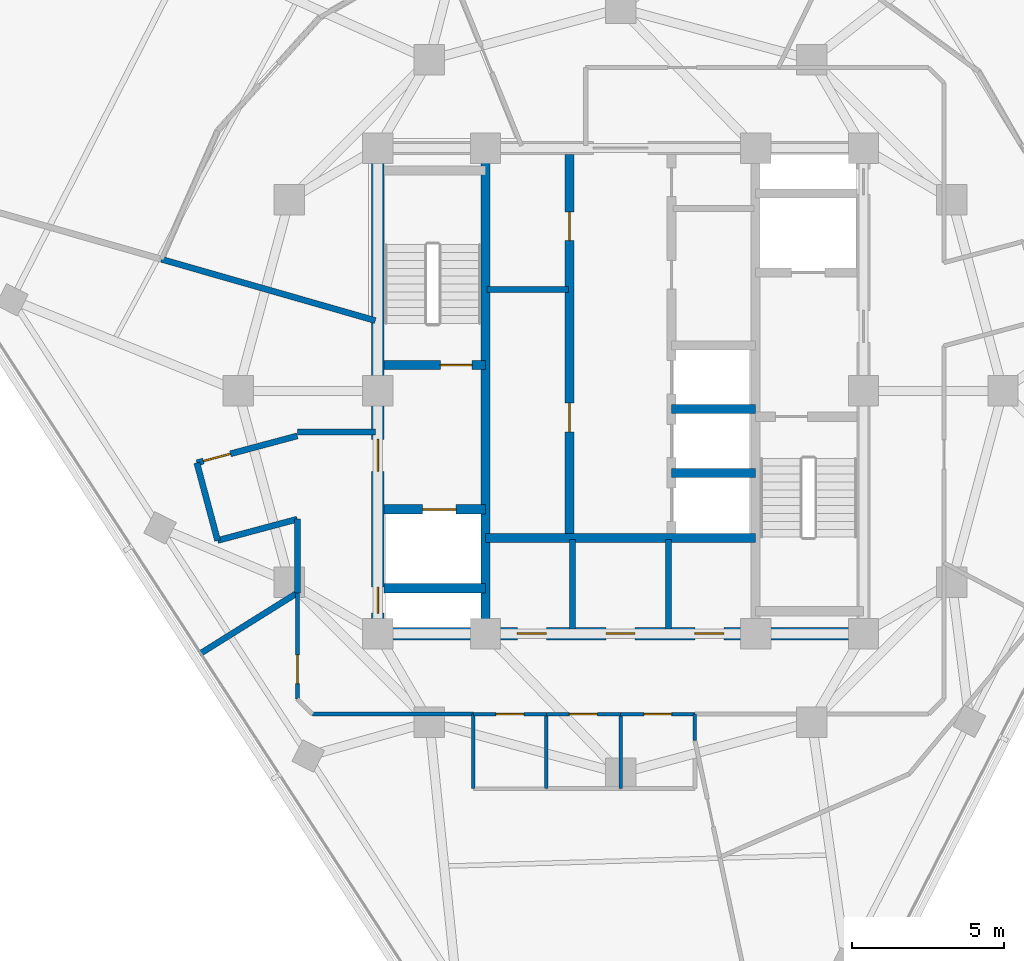
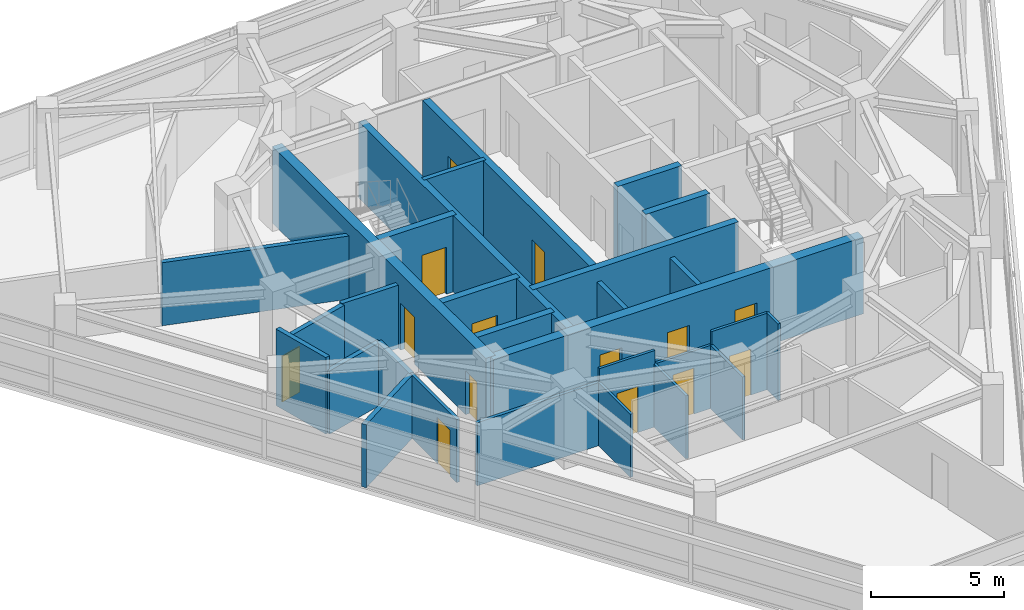
# One storey, part 8 of 15: 29 walls, 14 doors, 14 openings.
"""IFC4 building model written with IfcOpenShell, lengths in metres."""

from ifc_helpers import new_model, si_unit, direction, frame, frame_2d, origin, place, context, subcontext, project, spatial, rectangle, extrude, material, layer, layer_set, type_object, element, fill, save


model = new_model("IFC4")

# Units and contexts
model_context = context("Model", 3, precision=1e-05, world=origin(), true_north=direction((0.0, 1.0)))
body_context = subcontext(model_context, "Body", "Model", "MODEL_VIEW")
ifc_project = project(units=[si_unit("LENGTHUNIT", "METRE"), si_unit("AREAUNIT", "SQUARE_METRE"), si_unit("VOLUMEUNIT", "CUBIC_METRE"), si_unit("PLANEANGLEUNIT", "RADIAN"), si_unit("MASSUNIT", "GRAM", prefix="KILO")], contexts=[model_context])

# Site, building, storey
site_placement = place(None, origin())
site = spatial("IfcSite", under=ifc_project, at=site_placement, CompositionType="ELEMENT")
building_placement = place(site_placement, origin())
building = spatial("IfcBuilding", under=site, at=building_placement, Name="Terralouvre Media Tower", CompositionType="ELEMENT")
storey_placement = place(building_placement, frame((0.0, 0.0, 263.300048828125)))
storey = spatial("IfcBuildingStorey", under=building, at=storey_placement, Name="L68", CompositionType="ELEMENT", Elevation=263.300048828125)

# Wall
ifc_material_1 = material(Name="Concrete C50/60", Category="concrete")
ifc_layer_1 = layer(ifc_material_1, 0.300048828125, Name="Core Internal Shaft Wall CW-300")
ifc_layer_set_1 = layer_set([ifc_layer_1], Name="Concrete C50/60")
wall_type_1 = type_object("IfcWallType", Name="Core Internal Shaft Wall CW-300", PredefinedType="SHEAR", material=ifc_layer_set_1)
wall_1_placement = place(storey_placement, frame((-4.449951171875, -7.7900390625, 0.0), z_axis=(0.0, 0.0, 1.0), x_axis=(0.0, 1.0, 0.0)))
element("IfcWall", 1, at=wall_1_placement, inside=storey, type_object=wall_type_1, Name="L68 Core Shaft Wall SPW", PredefinedType="SHEAR", context=body_context, shape_type="SweptSolid", body=[
    extrude(rectangle(XDim=15.580078125, YDim=0.300048828125, at=frame_2d((7.7900390625, 0.0))), origin(), (0.0, 0.0, 1.0), 3.5),
])

# Wall, opening, door
wall_2_placement = place(storey_placement, frame((-7.7900390625, 0.85009765625, 0.0), z_axis=(0.0, 0.0, 1.0), x_axis=(1.0, 0.0, 0.0)))
wall_2 = element("IfcWall", 2, at=wall_2_placement, inside=storey, type_object=wall_type_1, Name="L68 Core Shaft Wall ST1D", PredefinedType="SHEAR", context=body_context, shape_type="SweptSolid", body=[
    extrude(rectangle(XDim=3.340087890625, YDim=0.300048828125, at=frame_2d((1.669921875, 0.0))), origin(), (0.0, 0.0, 1.0), 3.5),
])
opening_1_placement = place(wall_2_placement, frame((1.85009765625, 0.0, 0.0)))
opening_1 = element("IfcOpeningElement", 3, at=opening_1_placement, cuts=wall_2, Name="Opening FD-01-105X215", PredefinedType="OPENING", context=body_context, shape_type="SweptSolid", body=[
    extrude(rectangle(XDim=1.050048828125, YDim=2.14990234375, at=frame_2d((0.52490234375, 1.074951171875))), frame((0.0, 0.159912109375, 0.0), z_axis=(0.0, -1.0, 0.0), x_axis=(1.0, 0.0, 0.0)), (0.0, 0.0, 1.0), 0.320068359375),
])
ifc_material_2 = material(Name="Galvanised steel fire-resisting leaf", Category="steel")
door_type_1 = type_object("IfcDoorType", Name="Stair and Firefighting Lobby Fire Door FD-01 (1050x2150)", OperationType="NOTDEFINED", PredefinedType="DOOR", material=ifc_material_2)
door_1_placement = place(opening_1_placement, origin())
door_1 = element("IfcDoor", 4, at=door_1_placement, inside=storey, type_object=door_type_1, Name="L68 ST-01 Exit Stair Door", OperationType="SINGLE_SWING_LEFT", OverallHeight=2.14990234375, OverallWidth=1.050048828125, PredefinedType="DOOR", context=body_context, shape_type="SweptSolid", body=[
    extrude(rectangle(XDim=1.050048828125, YDim=2.14990234375, at=frame_2d((0.52490234375, 1.074951171875))), frame((0.0, 0.02490234375, 0.0), z_axis=(0.0, -1.0, 0.0), x_axis=(1.0, 0.0, 0.0)), (0.0, 0.0, 1.0), 0.050048828125),
])
fill(opening_1, door_1)

wall_3_placement = place(storey_placement, frame((-7.7900390625, -3.89990234375, 0.0), z_axis=(0.0, 0.0, 1.0), x_axis=(1.0, 0.0, 0.0)))
wall_3 = element("IfcWall", 5, at=wall_3_placement, inside=storey, type_object=wall_type_1, Name="L68 Core Shaft Wall FF1N", PredefinedType="SHEAR", context=body_context, shape_type="SweptSolid", body=[
    extrude(rectangle(XDim=3.340087890625, YDim=0.300048828125, at=frame_2d((1.669921875, 0.0))), origin(), (0.0, 0.0, 1.0), 3.5),
])
opening_2_placement = place(wall_3_placement, frame((1.27001953125, 0.0, 0.0)))
opening_2 = element("IfcOpeningElement", 6, at=opening_2_placement, cuts=wall_3, Name="Opening LD-FF", PredefinedType="OPENING", context=body_context, shape_type="SweptSolid", body=[
    extrude(rectangle(XDim=1.10009765625, YDim=2.10009765625, at=frame_2d((0.550048828125, 1.050048828125))), frame((0.0, 0.159912109375, 0.0), z_axis=(0.0, -1.0, 0.0), x_axis=(1.0, 0.0, 0.0)), (0.0, 0.0, 1.0), 0.320068359375),
])
ifc_material_3 = material(Name="Stainless steel 316 handrail and balustrade", Category="steel")
door_type_2 = type_object("IfcDoorType", Name="Firefighting Lift Sliding Landing Door LD-FF", OperationType="SLIDING_TO_LEFT", PredefinedType="DOOR", material=ifc_material_3)
door_2_placement = place(opening_2_placement, origin())
door_2 = element("IfcDoor", 7, at=door_2_placement, inside=storey, type_object=door_type_2, Name="L68 Firefighting Lift FFL-01 Landing Door", OperationType="SLIDING_TO_LEFT", OverallHeight=2.10009765625, OverallWidth=1.10009765625, PredefinedType="DOOR", context=body_context, shape_type="SweptSolid", body=[
    extrude(rectangle(XDim=1.10009765625, YDim=2.10009765625, at=frame_2d((0.550048828125, 1.050048828125))), frame((0.0, 0.02490234375, 0.0), z_axis=(0.0, -1.0, 0.0), x_axis=(1.0, 0.0, 0.0)), (0.0, 0.0, 1.0), 0.050048828125),
])
fill(opening_2, door_2)

# Walls
wall_4_placement = place(storey_placement, frame((-7.7900390625, -6.5, 0.0), z_axis=(0.0, 0.0, 1.0), x_axis=(1.0, 0.0, 0.0)))
element("IfcWall", 8, at=wall_4_placement, inside=storey, type_object=wall_type_1, Name="L68 Core Shaft Wall FF1S", PredefinedType="SHEAR", context=body_context, shape_type="SweptSolid", body=[
    extrude(rectangle(XDim=3.340087890625, YDim=0.300048828125, at=frame_2d((1.669921875, 0.0))), origin(), (0.0, 0.0, 1.0), 3.5),
])
wall_5_placement = place(storey_placement, frame((-4.449951171875, -4.85009765625, 0.0), z_axis=(0.0, 0.0, 1.0), x_axis=(1.0, 0.0, 0.0)))
element("IfcWall", 9, at=wall_5_placement, inside=storey, type_object=wall_type_1, Name="L68 Core Shaft Wall CSBN", PredefinedType="SHEAR", context=body_context, shape_type="SweptSolid", body=[
    extrude(rectangle(XDim=8.89990234375, YDim=0.300048828125, at=frame_2d((4.449951171875, 0.0))), origin(), (0.0, 0.0, 1.0), 3.5),
])

# Wall, openings, doors
wall_6_placement = place(storey_placement, frame((-1.679931640625, -4.85009765625, 0.0), z_axis=(0.0, 0.0, 1.0), x_axis=(0.0, 1.0, 0.0)))
wall_6 = element("IfcWall", 10, at=wall_6_placement, inside=storey, type_object=wall_type_1, Name="L68 Core Shaft Wall LBW", PredefinedType="SHEAR", context=body_context, shape_type="SweptSolid", body=[
    extrude(rectangle(XDim=12.64013671875, YDim=0.300048828125, at=frame_2d((6.320068359375, 0.0))), origin(), (0.0, 0.0, 1.0), 3.5),
])
opening_3_placement = place(wall_6_placement, frame((3.5, 0.0, 0.0)))
opening_3 = element("IfcOpeningElement", 11, at=opening_3_placement, cuts=wall_6, Name="Opening FD-04-95X210", PredefinedType="OPENING", context=body_context, shape_type="SweptSolid", body=[
    extrude(rectangle(XDim=0.949951171875, YDim=2.10009765625, at=frame_2d((0.47509765625, 1.050048828125))), frame((0.0, 0.159912109375, 0.0), z_axis=(0.0, -1.0, 0.0), x_axis=(1.0, 0.0, 0.0)), (0.0, 0.0, 1.0), 0.320068359375),
])
opening_4_placement = place(wall_6_placement, frame((9.800048828125, 0.0, 0.0)))
opening_4 = element("IfcOpeningElement", 12, at=opening_4_placement, cuts=wall_6, Name="Opening FD-02-95X210", PredefinedType="OPENING", context=body_context, shape_type="SweptSolid", body=[
    extrude(rectangle(XDim=0.949951171875, YDim=2.10009765625, at=frame_2d((0.47509765625, 1.050048828125))), frame((0.0, 0.159912109375, 0.0), z_axis=(0.0, -1.0, 0.0), x_axis=(1.0, 0.0, 0.0)), (0.0, 0.0, 1.0), 0.320068359375),
])
ifc_material_4 = material(Name="Galvanised steel fire-resisting leaf", Category="steel")
door_type_3 = type_object("IfcDoorType", Name="Core Store and Service Fire Door FD-04 (950x2100)", OperationType="NOTDEFINED", PredefinedType="DOOR", material=ifc_material_4)
door_3_placement = place(opening_3_placement, origin())
door_3 = element("IfcDoor", 13, at=door_3_placement, inside=storey, type_object=door_type_3, Name="L68 Core Archive Store Door", OperationType="SINGLE_SWING_LEFT", OverallHeight=2.10009765625, OverallWidth=0.949951171875, PredefinedType="DOOR", context=body_context, shape_type="SweptSolid", body=[
    extrude(rectangle(XDim=0.949951171875, YDim=2.10009765625, at=frame_2d((0.47509765625, 1.050048828125))), frame((0.0, 0.02490234375, 0.0), z_axis=(0.0, -1.0, 0.0), x_axis=(1.0, 0.0, 0.0)), (0.0, 0.0, 1.0), 0.050048828125),
])
fill(opening_3, door_3)
ifc_material_5 = material(Name="Galvanised steel fire-resisting leaf", Category="steel")
door_type_4 = type_object("IfcDoorType", Name="Plant and Riser Fire Door FD-02 (950x2100)", OperationType="NOTDEFINED", PredefinedType="DOOR", material=ifc_material_5)
door_4_placement = place(opening_4_placement, origin())
door_4 = element("IfcDoor", 14, at=door_4_placement, inside=storey, type_object=door_type_4, Name="L68 Core AV Repeater Plant Door", OperationType="SINGLE_SWING_RIGHT", OverallHeight=2.10009765625, OverallWidth=0.949951171875, PredefinedType="DOOR", context=body_context, shape_type="SweptSolid", body=[
    extrude(rectangle(XDim=0.949951171875, YDim=2.10009765625, at=frame_2d((0.47509765625, 1.050048828125))), frame((0.0, 0.02490234375, 0.0), z_axis=(0.0, -1.0, 0.0), x_axis=(1.0, 0.0, 0.0)), (0.0, 0.0, 1.0), 0.050048828125),
])
fill(opening_4, door_4)

# Walls
for number, where, z_axis, x_axis, name in (
    (15, (1.679931640625, -2.699951171875, 0.0), (0.0, 0.0, 1.0), (1.0, 0.0, 0.0), "L68 Core Shaft Wall PLHD1"),
    (16, (1.679931640625, -0.60009765625, 0.0), (0.0, 0.0, 1.0), (1.0, 0.0, 0.0), "L68 Core Shaft Wall PLHD2"),
):
    element("IfcWall", number, at=place(storey_placement, frame(where, z_axis=z_axis, x_axis=x_axis)), inside=storey, type_object=wall_type_1, Name=name, PredefinedType="SHEAR", context=body_context, shape_type="SweptSolid", body=[
        extrude(rectangle(XDim=2.77001953125, YDim=0.300048828125, at=frame_2d((1.385009765625, 0.0))), origin(), (0.0, 0.0, 1.0), 3.5),
    ])

# Wall, openings, doors
ifc_material_6 = material(Name="Concrete C60/75", Category="concrete")
ifc_layer_2 = layer(ifc_material_6, 0.419921875, Name="Core Reinforced Concrete Shear Wall CW-420")
ifc_layer_set_2 = layer_set([ifc_layer_2], Name="Concrete C60/75")
wall_type_2 = type_object("IfcWallType", Name="Core Reinforced Concrete Shear Wall CW-420", PredefinedType="SHEAR", material=ifc_layer_set_2)
wall_7_placement = place(storey_placement, frame((-8.0, -8.0, 0.0), z_axis=(0.0, 0.0, 1.0), x_axis=(0.0, 1.0, 0.0)))
wall_7 = element("IfcWall", 17, at=wall_7_placement, inside=storey, type_object=wall_type_2, Name="L68 W Core Shear Wall", PredefinedType="SHEAR", context=body_context, shape_type="SweptSolid", body=[
    extrude(rectangle(XDim=16.0, YDim=0.419921875, at=frame_2d((8.0, 0.0))), origin(), (0.0, 0.0, 1.0), 3.5),
])
opening_5_placement = place(wall_7_placement, frame((0.68115234375, 0.0, 0.0)))
opening_5 = element("IfcOpeningElement", 18, at=opening_5_placement, cuts=wall_7, Name="Opening TD-R1", PredefinedType="OPENING", context=body_context, shape_type="SweptSolid", body=[
    extrude(rectangle(XDim=0.85009765625, YDim=2.02001953125, at=frame_2d((0.425048828125, 1.010009765625))), frame((0.0, 0.219970703125, 0.0), z_axis=(0.0, -1.0, 0.0), x_axis=(1.0, 0.0, 0.0)), (0.0, 0.0, 1.0), 0.43994140625),
])
opening_6_placement = place(wall_7_placement, frame((5.35009765625, 0.0, 0.0)))
opening_6 = element("IfcOpeningElement", 19, at=opening_6_placement, cuts=wall_7, Name="Opening FD-01-105X215", PredefinedType="OPENING", context=body_context, shape_type="SweptSolid", body=[
    extrude(rectangle(XDim=1.050048828125, YDim=2.14990234375, at=frame_2d((0.52490234375, 1.074951171875))), frame((0.0, 0.219970703125, 0.0), z_axis=(0.0, -1.0, 0.0), x_axis=(1.0, 0.0, 0.0)), (0.0, 0.0, 1.0), 0.43994140625),
])
ifc_material_7 = material(Name="Galvanised steel fire-resisting leaf", Category="steel")
door_type_5 = type_object("IfcDoorType", Name="Riser Inspection Access Trapdoor TD-R1", OperationType="NOTDEFINED", PredefinedType="TRAPDOOR", material=ifc_material_7)
door_5_placement = place(opening_5_placement, origin())
door_5 = element("IfcDoor", 20, at=door_5_placement, inside=storey, type_object=door_type_5, Name="L68 Wet Riser Access Trapdoor", OperationType="SINGLE_SWING_LEFT", OverallHeight=2.02001953125, OverallWidth=0.85009765625, PredefinedType="TRAPDOOR", context=body_context, shape_type="SweptSolid", body=[
    extrude(rectangle(XDim=0.85009765625, YDim=2.02001953125, at=frame_2d((0.425048828125, 1.010009765625))), frame((0.0, 0.02490234375, 0.0), z_axis=(0.0, -1.0, 0.0), x_axis=(1.0, 0.0, 0.0)), (0.0, 0.0, 1.0), 0.050048828125),
])
fill(opening_5, door_5)
door_6_placement = place(opening_6_placement, origin())
door_6 = element("IfcDoor", 21, at=door_6_placement, inside=storey, type_object=door_type_1, Name="L68 West Firefighting Lobby Entry Door", OperationType="SINGLE_SWING_RIGHT", OverallHeight=2.14990234375, OverallWidth=1.050048828125, PredefinedType="DOOR", context=body_context, shape_type="SweptSolid", body=[
    extrude(rectangle(XDim=1.050048828125, YDim=2.14990234375, at=frame_2d((0.52490234375, 1.074951171875))), frame((0.0, 0.02490234375, 0.0), z_axis=(0.0, -1.0, 0.0), x_axis=(1.0, 0.0, 0.0)), (0.0, 0.0, 1.0), 0.050048828125),
])
fill(opening_6, door_6)

wall_8_placement = place(storey_placement, frame((-8.0, -8.0, 0.0), z_axis=(0.0, 0.0, 1.0), x_axis=(1.0, 0.0, 0.0)))
wall_8 = element("IfcWall", 22, at=wall_8_placement, inside=storey, type_object=wall_type_2, Name="L68 S Core Shear Wall", PredefinedType="SHEAR", context=body_context, shape_type="SweptSolid", body=[
    extrude(rectangle(XDim=16.0, YDim=0.419921875, at=frame_2d((8.0, 0.0))), origin(), (0.0, 0.0, 1.0), 3.5),
])
opening_7_placement = place(wall_8_placement, frame((4.60009765625, 0.0, 0.0)))
opening_7 = element("IfcOpeningElement", 23, at=opening_7_placement, cuts=wall_8, Name="Opening FD-02-95X210", PredefinedType="OPENING", context=body_context, shape_type="SweptSolid", body=[
    extrude(rectangle(XDim=0.949951171875, YDim=2.10009765625, at=frame_2d((0.47509765625, 1.050048828125))), frame((0.0, 0.219970703125, 0.0), z_axis=(0.0, -1.0, 0.0), x_axis=(1.0, 0.0, 0.0)), (0.0, 0.0, 1.0), 0.43994140625),
])
opening_8_placement = place(wall_8_placement, frame((7.52001953125, 0.0, 0.0)))
opening_8 = element("IfcOpeningElement", 24, at=opening_8_placement, cuts=wall_8, Name="Opening FD-02-95X210", PredefinedType="OPENING", context=body_context, shape_type="SweptSolid", body=[
    extrude(rectangle(XDim=0.949951171875, YDim=2.10009765625, at=frame_2d((0.47509765625, 1.050048828125))), frame((0.0, 0.219970703125, 0.0), z_axis=(0.0, -1.0, 0.0), x_axis=(1.0, 0.0, 0.0)), (0.0, 0.0, 1.0), 0.43994140625),
])
opening_9_placement = place(wall_8_placement, frame((10.449951171875, 0.0, 0.0)))
opening_9 = element("IfcOpeningElement", 25, at=opening_9_placement, cuts=wall_8, Name="Opening FD-02-95X210", PredefinedType="OPENING", context=body_context, shape_type="SweptSolid", body=[
    extrude(rectangle(XDim=0.949951171875, YDim=2.10009765625, at=frame_2d((0.47509765625, 1.050048828125))), frame((0.0, 0.219970703125, 0.0), z_axis=(0.0, -1.0, 0.0), x_axis=(1.0, 0.0, 0.0)), (0.0, 0.0, 1.0), 0.43994140625),
])
door_7_placement = place(opening_7_placement, origin())
door_7 = element("IfcDoor", 26, at=door_7_placement, inside=storey, type_object=door_type_4, Name="L68 Core Janitor Store Door", OperationType="SINGLE_SWING_LEFT", OverallHeight=2.10009765625, OverallWidth=0.949951171875, PredefinedType="DOOR", context=body_context, shape_type="SweptSolid", body=[
    extrude(rectangle(XDim=0.949951171875, YDim=2.10009765625, at=frame_2d((0.47509765625, 1.050048828125))), frame((0.0, 0.02490234375, 0.0), z_axis=(0.0, -1.0, 0.0), x_axis=(1.0, 0.0, 0.0)), (0.0, 0.0, 1.0), 0.050048828125),
])
fill(opening_7, door_7)
door_8_placement = place(opening_8_placement, origin())
door_8 = element("IfcDoor", 27, at=door_8_placement, inside=storey, type_object=door_type_4, Name="L68 Core Linen Store Door", OperationType="SINGLE_SWING_RIGHT", OverallHeight=2.10009765625, OverallWidth=0.949951171875, PredefinedType="DOOR", context=body_context, shape_type="SweptSolid", body=[
    extrude(rectangle(XDim=0.949951171875, YDim=2.10009765625, at=frame_2d((0.47509765625, 1.050048828125))), frame((0.0, 0.02490234375, 0.0), z_axis=(0.0, -1.0, 0.0), x_axis=(1.0, 0.0, 0.0)), (0.0, 0.0, 1.0), 0.050048828125),
])
fill(opening_8, door_8)
door_9_placement = place(opening_9_placement, origin())
door_9 = element("IfcDoor", 28, at=door_9_placement, inside=storey, type_object=door_type_4, Name="L68 Core Metering Plant Door", OperationType="SINGLE_SWING_LEFT", OverallHeight=2.10009765625, OverallWidth=0.949951171875, PredefinedType="DOOR", context=body_context, shape_type="SweptSolid", body=[
    extrude(rectangle(XDim=0.949951171875, YDim=2.10009765625, at=frame_2d((0.47509765625, 1.050048828125))), frame((0.0, 0.02490234375, 0.0), z_axis=(0.0, -1.0, 0.0), x_axis=(1.0, 0.0, 0.0)), (0.0, 0.0, 1.0), 0.050048828125),
])
fill(opening_9, door_9)

# Walls
ifc_material_8 = material(Name="Fire-rated gypsum board drywall partition")
ifc_layer_3 = layer(ifc_material_8, 0.199951171875, Name="Fire-Rated Shaft and Lobby Partition FW-200")
ifc_layer_set_3 = layer_set([ifc_layer_3], Name="Fire-rated gypsum board drywall partition")
wall_type_3 = type_object("IfcWallType", Name="Fire-Rated Shaft and Lobby Partition FW-200", PredefinedType="SOLIDWALL", material=ifc_layer_set_3)
for number, where, z_axis, x_axis, name in (
    (29, (-1.580078125, -7.85009765625, 0.0), (0.0, 0.0, 1.0), (0.0, 1.0, 0.0), "L68 Core Service Bay Partition 1"),
    (30, (1.580078125, -7.85009765625, 0.0), (0.0, 0.0, 1.0), (0.0, 1.0, 0.0), "L68 Core Service Bay Partition 2"),
):
    element("IfcWall", number, at=place(storey_placement, frame(where, z_axis=z_axis, x_axis=x_axis)), inside=storey, type_object=wall_type_3, Name=name, PredefinedType="SOLIDWALL", context=body_context, shape_type="SweptSolid", body=[
        extrude(rectangle(XDim=2.9501953125, YDim=0.199951171875, at=frame_2d((1.47509765625, 0.0))), origin(), (0.0, 0.0, 1.0), 2.885009765625),
    ])
wall_9_placement = place(storey_placement, frame((-4.39990234375, 3.340087890625, 0.0), z_axis=(0.0, 0.0, 1.0), x_axis=(1.0, 0.0, 0.0)))
element("IfcWall", 31, at=wall_9_placement, inside=storey, type_object=wall_type_3, Name="L68 Core West Sub-Partition 1", PredefinedType="SOLIDWALL", context=body_context, shape_type="SweptSolid", body=[
    extrude(rectangle(XDim=2.679931640625, YDim=0.199951171875, at=frame_2d((1.33984375, 0.0))), origin(), (0.0, 0.0, 1.0), 3.5),
])
wall_10_placement = place(storey_placement, frame((-8.080078125, -1.35009765625, 0.0), z_axis=(0.0, 0.0, 1.0), x_axis=(-1.0, 0.0, 0.0)))
element("IfcWall", 32, at=wall_10_placement, inside=storey, type_object=wall_type_3, Name="L68 Interior Partition 001", PredefinedType="SOLIDWALL", context=body_context, shape_type="SweptSolid", body=[
    extrude(rectangle(XDim=2.56982421875, YDim=0.199951171875, at=frame_2d((1.284912109375, 0.0))), origin(), (0.0, 0.0, 1.0), 2.885009765625),
])

# Wall, opening, door
wall_11_placement = place(storey_placement, frame((-10.64990234375, -1.48193359375, 0.0), z_axis=(0.0, 0.0, 1.0), x_axis=(-0.965961397105, -0.2586862565, 0.0)))
wall_11 = element("IfcWall", 33, at=wall_11_placement, inside=storey, type_object=wall_type_3, Name="L68 Interior Partition 002", PredefinedType="SOLIDWALL", context=body_context, shape_type="SweptSolid", body=[
    extrude(rectangle(XDim=3.4287109375, YDim=0.199951171875, at=frame_2d((1.71435546875, 0.0))), origin(), (0.0, 0.0, 1.0), 2.885009765625),
])
opening_10_placement = place(wall_11_placement, frame((2.282958984375, 0.0, 0.0)))
opening_10 = element("IfcOpeningElement", 34, at=opening_10_placement, cuts=wall_11, Name="Opening FD-05-92X210", PredefinedType="OPENING", context=body_context, shape_type="SweptSolid", body=[
    extrude(rectangle(XDim=0.919921875, YDim=2.10009765625, at=frame_2d((0.4599609375, 1.050048828125))), frame((0.0, 0.10986328125, 0.0), z_axis=(0.0, -1.0, 0.0), x_axis=(1.0, 0.0, 0.0)), (0.0, 0.0, 1.0), 0.219970703125),
])
ifc_material_9 = material(Name="Galvanised steel fire-resisting leaf", Category="steel")
door_type_6 = type_object("IfcDoorType", Name="Core Accessible Closet Fire Door FD-05 (920x2100)", OperationType="NOTDEFINED", PredefinedType="DOOR", material=ifc_material_9)
door_10_placement = place(opening_10_placement, origin())
door_10 = element("IfcDoor", 35, at=door_10_placement, inside=storey, type_object=door_type_6, Name="L68 IDF Comms Server Room 1 Door", OperationType="SINGLE_SWING_RIGHT", OverallHeight=2.10009765625, OverallWidth=0.919921875, PredefinedType="DOOR", context=body_context, shape_type="SweptSolid", body=[
    extrude(rectangle(XDim=0.919921875, YDim=2.10009765625, at=frame_2d((0.4599609375, 1.050048828125))), frame((0.0, 0.02490234375, 0.0), z_axis=(0.0, -1.0, 0.0), x_axis=(1.0, 0.0, 0.0)), (0.0, 0.0, 1.0), 0.050048828125),
])
fill(opening_10, door_10)

# Walls
wall_12_placement = place(storey_placement, frame((-13.9619140625, -2.368896484375, 0.0), z_axis=(0.0, 0.0, 1.0), x_axis=(0.258413725385, -0.966034340245, 0.0)))
element("IfcWall", 36, at=wall_12_placement, inside=storey, type_object=wall_type_3, Name="L68 Interior Partition 003", PredefinedType="SOLIDWALL", context=body_context, shape_type="SweptSolid", body=[
    extrude(rectangle(XDim=2.650146484375, YDim=0.199951171875, at=frame_2d((1.3251953125, 0.0))), origin(), (0.0, 0.0, 1.0), 3.5),
])
wall_13_placement = place(storey_placement, frame((-13.277099609375, -4.928955078125, 0.0), z_axis=(0.0, 0.0, 1.0), x_axis=(0.965934830229, 0.258785439601, 0.0)))
element("IfcWall", 37, at=wall_13_placement, inside=storey, type_object=wall_type_3, Name="L68 Interior Partition 004", PredefinedType="SOLIDWALL", context=body_context, shape_type="SweptSolid", body=[
    extrude(rectangle(XDim=2.719970703125, YDim=0.199951171875, at=frame_2d((1.35986328125, 0.0))), origin(), (0.0, 0.0, 1.0), 2.885009765625),
])
wall_14_placement = place(storey_placement, frame((-10.64990234375, -4.22509765625, 0.0), z_axis=(0.0, 0.0, 1.0), x_axis=(0.0, -1.0, 0.0)))
element("IfcWall", 38, at=wall_14_placement, inside=storey, type_object=wall_type_3, Name="L68 Interior Partition 005", PredefinedType="SOLIDWALL", context=body_context, shape_type="SweptSolid", body=[
    extrude(rectangle(XDim=2.429931640625, YDim=0.199951171875, at=frame_2d((1.21484375, 0.0))), origin(), (0.0, 0.0, 1.0), 2.885009765625),
])
wall_15_placement = place(storey_placement, frame((-13.869873046875, -8.6669921875, 0.0), z_axis=(0.0, 0.0, 1.0), x_axis=(0.848059708933, 0.529900679454, 0.0)))
element("IfcWall", 39, at=wall_15_placement, inside=storey, type_object=wall_type_3, Name="L68 Interior Partition 024", PredefinedType="SOLIDWALL", context=body_context, shape_type="SweptSolid", body=[
    extrude(rectangle(XDim=3.796875, YDim=0.199951171875, at=frame_2d((1.8984375, 0.0))), origin(), (0.0, 0.0, 1.0), 2.885009765625),
])
wall_16_placement = place(storey_placement, frame((-8.080078125, 2.316650390625, 0.0), z_axis=(0.0, 0.0, 1.0), x_axis=(-0.961260926499, 0.275640039155, 0.0)))
element("IfcWall", 40, at=wall_16_placement, inside=storey, type_object=wall_type_3, Name="L68 Interior Partition 025", PredefinedType="SOLIDWALL", context=body_context, shape_type="SweptSolid", body=[
    extrude(rectangle(XDim=7.3330078125, YDim=0.199951171875, at=frame_2d((3.66650390625, 0.0))), origin(), (0.0, 0.0, 1.0), 2.885009765625),
])

# Wall, opening, door
ifc_material_10 = material(Name="Fire-rated gypsum board drywall partition")
ifc_layer_4 = layer(ifc_material_10, 0.135009765625, Name="Newsroom Acoustic Partition PT-135")
ifc_layer_set_4 = layer_set([ifc_layer_4], Name="Fire-rated gypsum board drywall partition")
wall_type_4 = type_object("IfcWallType", Name="Newsroom Acoustic Partition PT-135", PredefinedType="PARTITIONING", material=ifc_layer_set_4)
wall_17_placement = place(storey_placement, frame((-10.64990234375, -6.655029296875, 0.0), z_axis=(0.0, 0.0, 1.0), x_axis=(0.0, -1.0, 0.0)))
wall_17 = element("IfcWall", 41, at=wall_17_placement, inside=storey, type_object=wall_type_4, Name="L68 Interior Partition 014", PredefinedType="PARTITIONING", context=body_context, shape_type="SweptSolid", body=[
    extrude(rectangle(XDim=3.494873046875, YDim=0.135009765625, at=frame_2d((1.74755859375, 0.0))), origin(), (0.0, 0.0, 1.0), 2.885009765625),
])
opening_11_placement = place(wall_17_placement, frame((2.04150390625, 0.0, 0.0)))
opening_11 = element("IfcOpeningElement", 42, at=opening_11_placement, cuts=wall_17, Name="Opening ID-02-95X210", PredefinedType="OPENING", context=body_context, shape_type="SweptSolid", body=[
    extrude(rectangle(XDim=0.949951171875, YDim=2.10009765625, at=frame_2d((0.47509765625, 1.050048828125))), frame((0.0, 0.077392578125, 0.0), z_axis=(0.0, -1.0, 0.0), x_axis=(1.0, 0.0, 0.0)), (0.0, 0.0, 1.0), 0.155029296875),
])
ifc_material_11 = material(Name="Engineered hardwood acoustic timber leaf", Category="wood")
door_type_7 = type_object("IfcDoorType", Name="Office and Meeting Room Door ID-02 (950x2100)", OperationType="NOTDEFINED", PredefinedType="DOOR", material=ifc_material_11)
door_11_placement = place(opening_11_placement, origin())
door_11 = element("IfcDoor", 43, at=door_11_placement, inside=storey, type_object=door_type_7, Name="L68 Graphics Desk Office 3 Door", OperationType="SINGLE_SWING_LEFT", OverallHeight=2.10009765625, OverallWidth=0.949951171875, PredefinedType="DOOR", context=body_context, shape_type="SweptSolid", body=[
    extrude(rectangle(XDim=0.949951171875, YDim=2.10009765625, at=frame_2d((0.47509765625, 1.050048828125))), frame((0.0, 0.02490234375, 0.0), z_axis=(0.0, -1.0, 0.0), x_axis=(1.0, 0.0, 0.0)), (0.0, 0.0, 1.0), 0.050048828125),
])
fill(opening_11, door_11)

# Wall
wall_18_placement = place(storey_placement, frame((-10.14990234375, -10.64990234375, 0.0), z_axis=(0.0, 0.0, 1.0), x_axis=(1.0, 0.0, 0.0)))
element("IfcWall", 44, at=wall_18_placement, inside=storey, type_object=wall_type_4, Name="L68 Interior Partition 016", PredefinedType="PARTITIONING", context=body_context, shape_type="SweptSolid", body=[
    extrude(rectangle(XDim=5.2998046875, YDim=0.135009765625, at=frame_2d((2.64990234375, 0.0))), origin(), (0.0, 0.0, 1.0), 2.885009765625),
])

# Wall, opening, door
ifc_material_12 = material(Name="Fire-rated gypsum board drywall partition")
ifc_layer_5 = layer(ifc_material_12, 0.114990234375, Name="Restroom and Pantry Partition PT-115")
ifc_layer_set_5 = layer_set([ifc_layer_5], Name="Fire-rated gypsum board drywall partition")
wall_type_5 = type_object("IfcWallType", Name="Restroom and Pantry Partition PT-115", PredefinedType="PARTITIONING", material=ifc_layer_set_5)
wall_19_placement = place(storey_placement, frame((-4.85009765625, -10.64990234375, 0.0), z_axis=(0.0, 0.0, 1.0), x_axis=(1.0, 0.0, 0.0)))
wall_19 = element("IfcWall", 45, at=wall_19_placement, inside=storey, type_object=wall_type_5, Name="L68 Interior Partition 013", PredefinedType="PARTITIONING", context=body_context, shape_type="SweptSolid", body=[
    extrude(rectangle(XDim=2.400146484375, YDim=0.114990234375, at=frame_2d((1.2001953125, 0.0))), origin(), (0.0, 0.0, 1.0), 3.5),
])
opening_12_placement = place(wall_19_placement, frame((0.739990234375, 0.0, 0.0)))
opening_12 = element("IfcOpeningElement", 46, at=opening_12_placement, cuts=wall_19, Name="Opening ID-03-92X210", PredefinedType="OPENING", context=body_context, shape_type="SweptSolid", body=[
    extrude(rectangle(XDim=0.919921875, YDim=2.10009765625, at=frame_2d((0.4599609375, 1.050048828125))), frame((0.0, 0.0673828125, 0.0), z_axis=(0.0, -1.0, 0.0), x_axis=(1.0, 0.0, 0.0)), (0.0, 0.0, 1.0), 0.135009765625),
])
ifc_material_13 = material(Name="Engineered hardwood acoustic timber leaf", Category="wood")
door_type_8 = type_object("IfcDoorType", Name="Accessible Restroom and Suite Door ID-03 (920x2100)", OperationType="NOTDEFINED", PredefinedType="DOOR", material=ifc_material_13)
door_12_placement = place(opening_12_placement, origin())
door_12 = element("IfcDoor", 47, at=door_12_placement, inside=storey, type_object=door_type_8, Name="L68 Male Restroom WC Door", OperationType="SINGLE_SWING_RIGHT", OverallHeight=2.10009765625, OverallWidth=0.919921875, PredefinedType="DOOR", context=body_context, shape_type="SweptSolid", body=[
    extrude(rectangle(XDim=0.919921875, YDim=2.10009765625, at=frame_2d((0.4599609375, 1.050048828125))), frame((0.0, 0.02490234375, 0.0), z_axis=(0.0, -1.0, 0.0), x_axis=(1.0, 0.0, 0.0)), (0.0, 0.0, 1.0), 0.050048828125),
])
fill(opening_12, door_12)

wall_20_placement = place(storey_placement, frame((-2.449951171875, -10.64990234375, 0.0), z_axis=(0.0, 0.0, 1.0), x_axis=(1.0, 0.0, 0.0)))
wall_20 = element("IfcWall", 48, at=wall_20_placement, inside=storey, type_object=wall_type_5, Name="L68 Interior Partition 017", PredefinedType="PARTITIONING", context=body_context, shape_type="SweptSolid", body=[
    extrude(rectangle(XDim=2.449951171875, YDim=0.114990234375, at=frame_2d((1.22509765625, 0.0))), origin(), (0.0, 0.0, 1.0), 2.885009765625),
])
opening_13_placement = place(wall_20_placement, frame((0.764892578125, 0.0, 0.0)))
opening_13 = element("IfcOpeningElement", 49, at=opening_13_placement, cuts=wall_20, Name="Opening ID-03-92X210", PredefinedType="OPENING", context=body_context, shape_type="SweptSolid", body=[
    extrude(rectangle(XDim=0.919921875, YDim=2.10009765625, at=frame_2d((0.4599609375, 1.050048828125))), frame((0.0, 0.0673828125, 0.0), z_axis=(0.0, -1.0, 0.0), x_axis=(1.0, 0.0, 0.0)), (0.0, 0.0, 1.0), 0.135009765625),
])
door_13_placement = place(opening_13_placement, origin())
door_13 = element("IfcDoor", 50, at=door_13_placement, inside=storey, type_object=door_type_8, Name="L68 Female Restroom WC Door", OperationType="SINGLE_SWING_RIGHT", OverallHeight=2.10009765625, OverallWidth=0.919921875, PredefinedType="DOOR", context=body_context, shape_type="SweptSolid", body=[
    extrude(rectangle(XDim=0.919921875, YDim=2.10009765625, at=frame_2d((0.4599609375, 1.050048828125))), frame((0.0, 0.02490234375, 0.0), z_axis=(0.0, -1.0, 0.0), x_axis=(1.0, 0.0, 0.0)), (0.0, 0.0, 1.0), 0.050048828125),
])
fill(opening_13, door_13)

wall_21_placement = place(storey_placement, frame((0.0, -10.64990234375, 0.0), z_axis=(0.0, 0.0, 1.0), x_axis=(1.0, 0.0, 0.0)))
wall_21 = element("IfcWall", 51, at=wall_21_placement, inside=storey, type_object=wall_type_5, Name="L68 Interior Partition 018", PredefinedType="PARTITIONING", context=body_context, shape_type="SweptSolid", body=[
    extrude(rectangle(XDim=2.449951171875, YDim=0.114990234375, at=frame_2d((1.22509765625, 0.0))), origin(), (0.0, 0.0, 1.0), 3.5),
])
opening_14_placement = place(wall_21_placement, frame((0.764892578125, 0.0, 0.0)))
opening_14 = element("IfcOpeningElement", 52, at=opening_14_placement, cuts=wall_21, Name="Opening ID-03-92X210", PredefinedType="OPENING", context=body_context, shape_type="SweptSolid", body=[
    extrude(rectangle(XDim=0.919921875, YDim=2.10009765625, at=frame_2d((0.4599609375, 1.050048828125))), frame((0.0, 0.0673828125, 0.0), z_axis=(0.0, -1.0, 0.0), x_axis=(1.0, 0.0, 0.0)), (0.0, 0.0, 1.0), 0.135009765625),
])
door_14_placement = place(opening_14_placement, origin())
door_14 = element("IfcDoor", 53, at=door_14_placement, inside=storey, type_object=door_type_8, Name="L68 Accessible Unisex WC Door", OperationType="SINGLE_SWING_LEFT", OverallHeight=2.10009765625, OverallWidth=0.919921875, PredefinedType="DOOR", context=body_context, shape_type="SweptSolid", body=[
    extrude(rectangle(XDim=0.919921875, YDim=2.10009765625, at=frame_2d((0.4599609375, 1.050048828125))), frame((0.0, 0.02490234375, 0.0), z_axis=(0.0, -1.0, 0.0), x_axis=(1.0, 0.0, 0.0)), (0.0, 0.0, 1.0), 0.050048828125),
])
fill(opening_14, door_14)

# Walls
for number, where, z_axis, x_axis, name in (
    (54, (-4.85009765625, -10.64990234375, 0.0), (0.0, 0.0, 1.0), (0.0, -1.0, 0.0), "L68 Interior Partition 033"),
    (55, (-2.449951171875, -13.10009765625, 0.0), (0.0, 0.0, 1.0), (0.0, 1.0, 0.0), "L68 Interior Partition 035"),
    (56, (0.0, -13.10009765625, 0.0), (0.0, 0.0, 1.0), (0.0, 1.0, 0.0), "L68 Interior Partition 041"),
):
    element("IfcWall", number, at=place(storey_placement, frame(where, z_axis=z_axis, x_axis=x_axis)), inside=storey, type_object=wall_type_5, Name=name, PredefinedType="PARTITIONING", context=body_context, shape_type="SweptSolid", body=[
        extrude(rectangle(XDim=2.4501953125, YDim=0.114990234375, at=frame_2d((1.22509765625, 0.0))), origin(), (0.0, 0.0, 1.0), 2.885009765625),
    ])
wall_22_placement = place(storey_placement, frame((2.449951171875, -11.52587890625, 0.0), z_axis=(0.0, 0.0, 1.0), x_axis=(0.0, 1.0, 0.0)))
element("IfcWall", 57, at=wall_22_placement, inside=storey, type_object=wall_type_5, Name="L68 Interior Partition 042", PredefinedType="PARTITIONING", context=body_context, shape_type="SweptSolid", body=[
    extrude(rectangle(XDim=0.8759765625, YDim=0.114990234375, at=frame_2d((0.43798828125, 0.0))), origin(), (0.0, 0.0, 1.0), 3.5),
])

save(model, "model.ifc")
